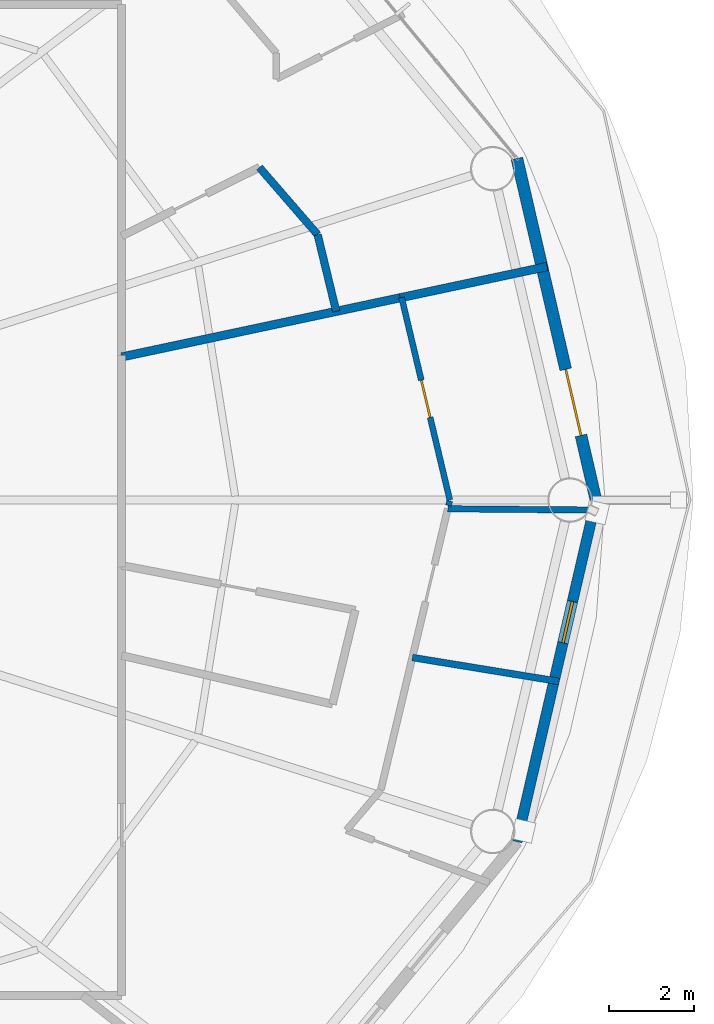
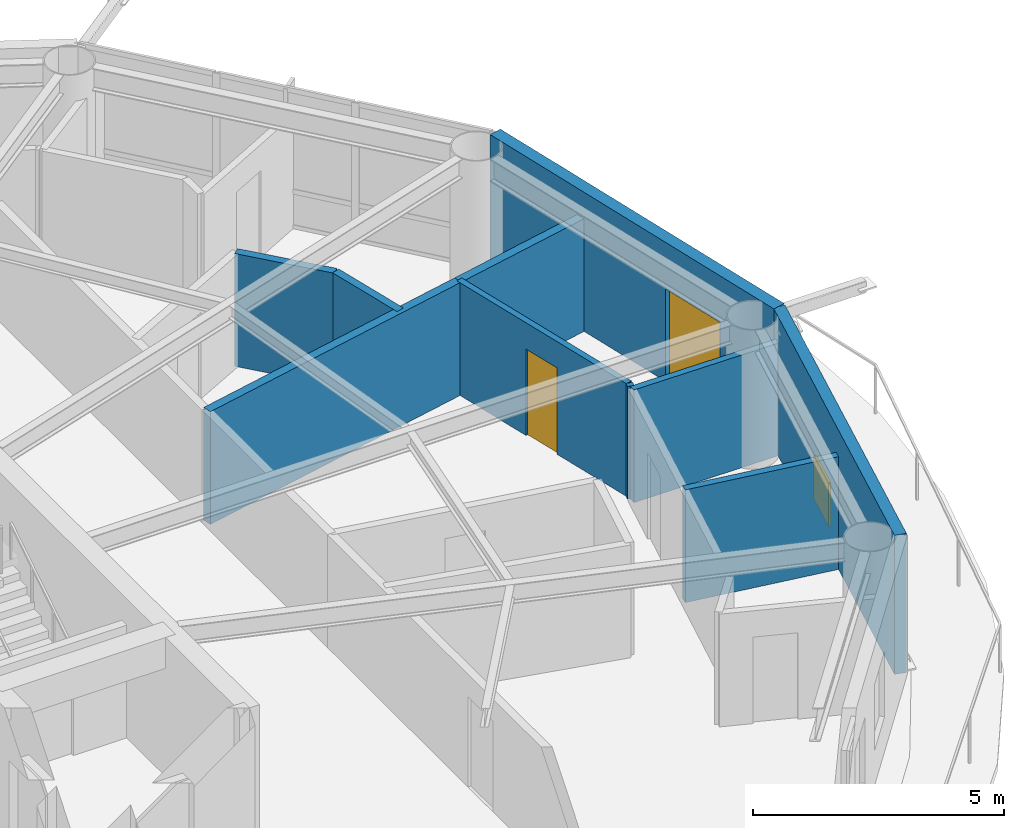
# One storey, part 24 of 30: 10 walls, 2 doors, 1 window, 3 openings.
"""IFC4 building model written with IfcOpenShell, lengths in metres."""

from ifc_helpers import new_model, si_unit, direction, frame, frame_2d, origin, place, context, subcontext, project, spatial, rectangle, extrude, material, layer, layer_set, type_object, element, fill, save


model = new_model("IFC4")

# Units and contexts
model_context = context("Model", 3, precision=1e-05, world=origin(), true_north=direction((0.0, 1.0)))
body_context = subcontext(model_context, "Body", "Model", "MODEL_VIEW")
ifc_project = project(units=[si_unit("LENGTHUNIT", "METRE"), si_unit("AREAUNIT", "SQUARE_METRE"), si_unit("VOLUMEUNIT", "CUBIC_METRE"), si_unit("PLANEANGLEUNIT", "RADIAN"), si_unit("MASSUNIT", "GRAM", prefix="KILO")], contexts=[model_context])

# Site, building, storey
site_placement = place(None, origin())
site = spatial("IfcSite", under=ifc_project, at=site_placement, CompositionType="ELEMENT")
building_placement = place(site_placement, origin())
building = spatial("IfcBuilding", under=site, at=building_placement, Name="Sarneth Arch Tower", CompositionType="ELEMENT")
storey_placement = place(building_placement, frame((0.0, 0.0, 161.39990234375)))
storey = spatial("IfcBuildingStorey", under=building, at=storey_placement, Name="L40", CompositionType="ELEMENT", Elevation=161.39990234375)

# Wall, opening, window
ifc_material_1 = material(Name="Extruded terracotta rainscreen on Concrete C40/50 backing", Category="masonry")
ifc_layer_1 = layer(ifc_material_1, 0.25)
ifc_layer_set_1 = layer_set([ifc_layer_1], Name="Extruded terracotta rainscreen on Concrete C40/50 backing")
wall_type_1 = type_object("IfcWallType", Name="WALL-EXT-SPAND-250", PredefinedType="SOLIDWALL", material=ifc_layer_set_1)
wall_1_placement = place(storey_placement, frame((73.232421875, 33.93310546875, 0.0), z_axis=(0.0, 0.0, 1.0), x_axis=(0.225473184558, 0.974249374157, 0.0)))
wall_1 = element("IfcWall", 1, at=wall_1_placement, inside=storey, type_object=wall_type_1, Name="L40 Terracotta perimeter wall 16", PredefinedType="SOLIDWALL", context=body_context, shape_type="SweptSolid", body=[
    extrude(rectangle(XDim=8.280029296875, YDim=0.25, at=frame_2d((4.14013671875, 0.0))), origin(), (0.0, 0.0, 1.0), 3.380126953125),
])
opening_1_placement = place(wall_1_placement, frame((4.82080078125, 0.0, 0.35009765625)))
opening_1 = element("IfcOpeningElement", 2, at=opening_1_placement, cuts=wall_1, Name="Opening W-14", PredefinedType="OPENING", context=body_context, shape_type="SweptSolid", body=[
    extrude(rectangle(XDim=1.0, YDim=1.050048828125, at=frame_2d((0.5, 0.52490234375))), frame((0.0, 0.135009765625, 0.0), z_axis=(0.0, -1.0, 0.0), x_axis=(1.0, 0.0, 0.0)), (0.0, 0.0, 1.0), 0.27001953125),
])
ifc_material_2 = material(Name="Thermally broken Aluminium 6063-T6 and low-e laminated IGU", Category="aluminium")
window_type = type_object("IfcWindowType", Name="WIN-TWR-1000x1050", PartitioningType="SINGLE_PANEL", PredefinedType="WINDOW", material=ifc_material_2)
window_placement = place(opening_1_placement, origin())
window = element("IfcWindow", 3, at=window_placement, inside=storey, type_object=window_type, Name="L40 Dwelling bedroom window 06", OverallHeight=1.050048828125, OverallWidth=1.0, PartitioningType="SINGLE_PANEL", PredefinedType="WINDOW", context=body_context, shape_type="SweptSolid", body=[
    extrude(rectangle(XDim=1.0, YDim=1.050048828125, at=frame_2d((0.5, 0.52490234375))), frame((0.0, 0.030029296875, 0.0), z_axis=(0.0, -1.0, 0.0), x_axis=(1.0, 0.0, 0.0)), (0.0, 0.0, 1.0), 0.06005859375),
])
fill(opening_1, window)

# Wall, opening, door
ifc_material_3 = material(Name="Extruded terracotta rainscreen on Concrete C40/50 backing", Category="masonry")
ifc_layer_2 = layer(ifc_material_3, 0.280029296875)
ifc_layer_set_2 = layer_set([ifc_layer_2], Name="Extruded terracotta rainscreen on Concrete C40/50 backing")
wall_type_2 = type_object("IfcWallType", Name="WALL-EXT-TERRA-280", PredefinedType="SOLIDWALL", material=ifc_layer_set_2)
wall_2_placement = place(storey_placement, frame((75.099365234375, 42.0, 0.0), z_axis=(0.0, 0.0, 1.0), x_axis=(-0.225473184558, 0.974249374157, 0.0)))
wall_2 = element("IfcWall", 4, at=wall_2_placement, inside=storey, type_object=wall_type_2, Name="L40 Terracotta perimeter wall 01", PredefinedType="SOLIDWALL", context=body_context, shape_type="SweptSolid", body=[
    extrude(rectangle(XDim=8.280029296875, YDim=0.280029296875, at=frame_2d((4.14013671875, 0.0))), origin(), (0.0, 0.0, 1.0), 3.380126953125),
])
opening_2_placement = place(wall_2_placement, frame((1.568115234375, 0.0, 0.0)))
opening_2 = element("IfcOpeningElement", 5, at=opening_2_placement, cuts=wall_2, Name="Opening BD-1", PredefinedType="OPENING", context=body_context, shape_type="SweptSolid", body=[
    extrude(rectangle(XDim=1.60009765625, YDim=2.25, at=frame_2d((0.800048828125, 1.125))), frame((0.0, 0.14990234375, 0.0), z_axis=(0.0, -1.0, 0.0), x_axis=(1.0, 0.0, 0.0)), (0.0, 0.0, 1.0), 0.300048828125),
])
ifc_material_4 = material(Name="Thermally broken Aluminium 6063-T6 and laminated safety glass", Category="aluminium")
door_type_1 = type_object("IfcDoorType", Name="DR-BALC-GLZ-1600", OperationType="DOUBLE_DOOR_SINGLE_SWING", PredefinedType="DOOR", material=ifc_material_4)
door_1_placement = place(opening_2_placement, origin())
door_1 = element("IfcDoor", 6, at=door_1_placement, inside=storey, type_object=door_type_1, Name="L40 Balcony glazed door 01", OperationType="DOUBLE_DOOR_SINGLE_SWING", OverallHeight=2.25, OverallWidth=1.60009765625, PredefinedType="DOOR", context=body_context, shape_type="SweptSolid", body=[
    extrude(rectangle(XDim=1.60009765625, YDim=2.25, at=frame_2d((0.800048828125, 1.125))), frame((0.0, 0.02490234375, 0.0), z_axis=(0.0, -1.0, 0.0), x_axis=(1.0, 0.0, 0.0)), (0.0, 0.0, 1.0), 0.050048828125),
])
fill(opening_2, door_1)

ifc_material_5 = material(Name="Apartment internal stud partition", Category="gypsum")
ifc_layer_3 = layer(ifc_material_5, 0.139892578125)
ifc_layer_set_3 = layer_set([ifc_layer_3], Name="Apartment internal stud partition")
wall_type_3 = type_object("IfcWallType", Name="WALL-PART-140", PredefinedType="PARTITIONING", material=ifc_layer_set_3)
wall_3_placement = place(storey_placement, frame((71.648681640625, 42.0, 0.0), z_axis=(0.0, 0.0, 1.0), x_axis=(-0.231622764326, 0.972805682059, 0.0)))
wall_3 = element("IfcWall", 7, at=wall_3_placement, inside=storey, type_object=wall_type_3, Name="L40 Interior partition W-L40-TP-117", PredefinedType="PARTITIONING", context=body_context, shape_type="SweptSolid", body=[
    extrude(rectangle(XDim=4.918212890625, YDim=0.139892578125, at=frame_2d((2.458984375, 0.0))), origin(), (0.0, 0.0, 1.0), 2.739990234375),
])
opening_3_placement = place(wall_3_placement, frame((2.009033203125, 0.0, 0.0)))
opening_3 = element("IfcOpeningElement", 8, at=opening_3_placement, cuts=wall_3, Name="Opening ID-01", PredefinedType="OPENING", context=body_context, shape_type="SweptSolid", body=[
    extrude(rectangle(XDim=0.89990234375, YDim=2.10009765625, at=frame_2d((0.449951171875, 1.050048828125))), frame((0.0, 0.079833984375, 0.0), z_axis=(0.0, -1.0, 0.0), x_axis=(1.0, 0.0, 0.0)), (0.0, 0.0, 1.0), 0.159912109375),
])
ifc_material_6 = material(Name="Engineered hardwood flush door", Category="wood")
door_type_2 = type_object("IfcDoorType", Name="DR-INT-900", OperationType="SINGLE_SWING_LEFT", PredefinedType="DOOR", material=ifc_material_6)
door_2_placement = place(opening_3_placement, origin())
door_2 = element("IfcDoor", 9, at=door_2_placement, inside=storey, type_object=door_type_2, Name="L40 Interior door DR-L40-U8-BED2", OperationType="SINGLE_SWING_RIGHT", OverallHeight=2.10009765625, OverallWidth=0.89990234375, PredefinedType="DOOR", context=body_context, shape_type="SweptSolid", body=[
    extrude(rectangle(XDim=0.89990234375, YDim=2.10009765625, at=frame_2d((0.449951171875, 1.050048828125))), frame((0.0, 0.02490234375, 0.0), z_axis=(0.0, -1.0, 0.0), x_axis=(1.0, 0.0, 0.0)), (0.0, 0.0, 1.0), 0.050048828125),
])
fill(opening_3, door_2)

# Walls
wall_4_placement = place(storey_placement, frame((71.6181640625, 41.871826171875, 0.0), z_axis=(0.0, 0.0, 1.0), x_axis=(0.233786115402, 0.972288050037, 0.0)))
element("IfcWall", 10, at=wall_4_placement, inside=storey, type_object=wall_type_3, Name="L40 Interior partition W-L40-TP-116", PredefinedType="PARTITIONING", context=body_context, shape_type="SweptSolid", body=[
    extrude(rectangle(XDim=0.11181640625, YDim=0.139892578125, at=frame_2d((0.055908203125, 0.0))), origin(), (0.0, 0.0, 1.0), 2.739990234375),
])
ifc_material_7 = material(Name="Acoustic gypsum stud partition", Category="gypsum")
ifc_layer_4 = layer(ifc_material_7, 0.14990234375)
ifc_layer_set_4 = layer_set([ifc_layer_4], Name="Acoustic gypsum stud partition")
wall_type_4 = type_object("IfcWallType", Name="WALL-PART-150", PredefinedType="PARTITIONING", material=ifc_layer_set_4)
wall_5_placement = place(storey_placement, frame((75.164794921875, 41.762939453125, 0.0), z_axis=(0.0, 0.0, 1.0), x_axis=(-0.999962184605, 0.00869651424, 0.0)))
element("IfcWall", 11, at=wall_5_placement, inside=storey, type_object=wall_type_4, Name="L40 Interior partition W-L40-TP-119", PredefinedType="PARTITIONING", context=body_context, shape_type="SweptSolid", body=[
    extrude(rectangle(XDim=3.5654296875, YDim=0.14990234375, at=frame_2d((1.78271484375, 0.0))), origin(), (0.0, 0.0, 1.0), 2.739990234375),
])
ifc_material_8 = material(Name="Kitchen wet service chase wall", Category="gypsum")
ifc_layer_5 = layer(ifc_material_8, 0.159912109375)
ifc_layer_set_5 = layer_set([ifc_layer_5], Name="Kitchen wet service chase wall")
wall_type_5 = type_object("IfcWallType", Name="WALL-PLUMB-160", PredefinedType="PLUMBINGWALL", material=ifc_layer_set_5)
wall_6_placement = place(storey_placement, frame((74.230712890625, 37.715576171875, 0.0), z_axis=(0.0, 0.0, 1.0), x_axis=(-0.986918442879, 0.161220306117, 0.0)))
element("IfcWall", 12, at=wall_6_placement, inside=storey, type_object=wall_type_5, Name="L40 Interior partition W-L40-TP-118", PredefinedType="PLUMBINGWALL", context=body_context, shape_type="SweptSolid", body=[
    extrude(rectangle(XDim=3.51318359375, YDim=0.159912109375, at=frame_2d((1.756591796875, 0.0))), origin(), (0.0, 0.0, 1.0), 2.739990234375),
])
ifc_material_9 = material(Name="Moisture-resistant plumbing chase wall", Category="gypsum")
ifc_layer_6 = layer(ifc_material_9, 0.179931640625)
ifc_layer_set_6 = layer_set([ifc_layer_6], Name="Moisture-resistant plumbing chase wall")
wall_type_6 = type_object("IfcWallType", Name="WALL-PLUMB-180", PredefinedType="PLUMBINGWALL", material=ifc_layer_set_6)
wall_7_placement = place(storey_placement, frame((68.526123046875, 48.268310546875, 0.0), z_axis=(0.0, 0.0, 1.0), x_axis=(-0.654594060889, 0.755980565524, 0.0)))
element("IfcWall", 13, at=wall_7_placement, inside=storey, type_object=wall_type_6, Name="L40 Interior partition W-L40-TP-027", PredefinedType="PLUMBINGWALL", context=body_context, shape_type="SweptSolid", body=[
    extrude(rectangle(XDim=2.099853515625, YDim=0.179931640625, at=frame_2d((1.0498046875, 0.0))), origin(), (0.0, 0.0, 1.0), 2.739990234375),
])
wall_8_placement = place(storey_placement, frame((68.965087890625, 46.456298828125, 0.0), z_axis=(0.0, 0.0, 1.0), x_axis=(-0.235442613623, 0.971888252676, 0.0)))
element("IfcWall", 14, at=wall_8_placement, inside=storey, type_object=wall_type_6, Name="L40 Interior partition W-L40-TP-026", PredefinedType="PLUMBINGWALL", context=body_context, shape_type="SweptSolid", body=[
    extrude(rectangle(XDim=1.864501953125, YDim=0.179931640625, at=frame_2d((0.93212890625, 0.0))), origin(), (0.0, 0.0, 1.0), 2.739990234375),
])
ifc_material_10 = material(Name="Double steel-stud acoustic drywall", Category="steel")
ifc_layer_7 = layer(ifc_material_10, 0.199951171875)
ifc_layer_set_7 = layer_set([ifc_layer_7], Name="Double steel-stud acoustic drywall")
wall_type_7 = type_object("IfcWallType", Name="WALL-UNIT-200", PredefinedType="PARTITIONING", material=ifc_layer_set_7)
wall_9_placement = place(storey_placement, frame((63.89990234375, 45.379638671875, 0.0), z_axis=(0.0, 0.0, 1.0), x_axis=(0.978145779981, 0.207920256603, 0.0)))
element("IfcWall", 15, at=wall_9_placement, inside=storey, type_object=wall_type_7, Name="L40 Interior partition W-L40-TP-038", PredefinedType="PARTITIONING", context=body_context, shape_type="SweptSolid", body=[
    extrude(rectangle(XDim=6.789306640625, YDim=0.199951171875, at=frame_2d((3.39453125, 0.0))), origin(), (0.0, 0.0, 1.0), 2.739990234375),
])
wall_10_placement = place(storey_placement, frame((73.946044921875, 47.51513671875, 0.0), z_axis=(0.0, 0.0, 1.0), x_axis=(-0.978135742848, -0.207967469966, 0.0)))
element("IfcWall", 16, at=wall_10_placement, inside=storey, type_object=wall_type_7, Name="L40 Interior partition W-L40-TP-036", PredefinedType="PARTITIONING", context=body_context, shape_type="SweptSolid", body=[
    extrude(rectangle(XDim=3.54541015625, YDim=0.199951171875, at=frame_2d((1.772705078125, 0.0))), origin(), (0.0, 0.0, 1.0), 2.739990234375),
])

save(model, "model.ifc")
